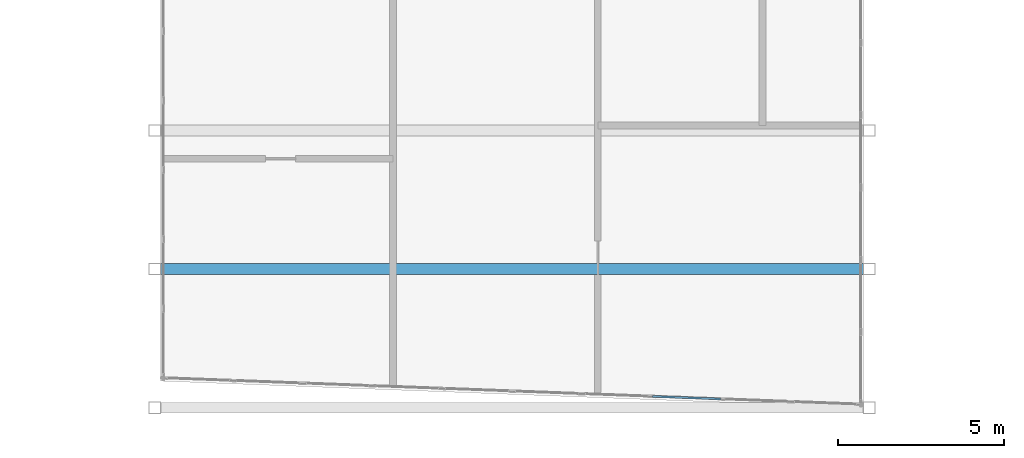
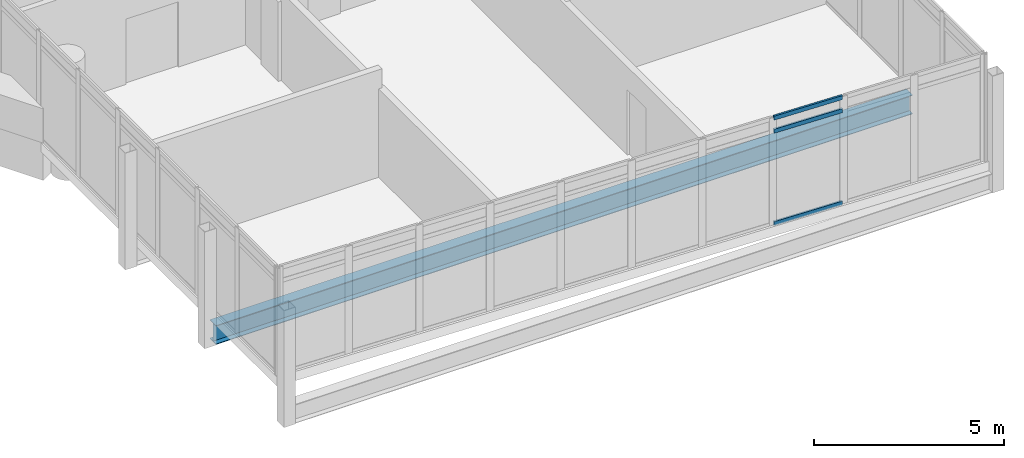
# One storey, part 5 of 25: 3 members, 1 beam, 1 element without a shape of its own.
"""IFC4 building model written with IfcOpenShell, lengths in metres."""

from ifc_helpers import new_model, si_unit, direction, frame, origin, origin_2d, place, context, subcontext, project, spatial, hollow_rectangle, i_section, extrude, material, material_profile, profile_set, type_object, element, aggregate, save


model = new_model("IFC4")

# Units and contexts
model_context = context("Model", 3, precision=1e-05, world=origin(), true_north=direction((0.0, 1.0)))
body_context = subcontext(model_context, "Body", "Model", "MODEL_VIEW")
ifc_project = project(units=[si_unit("LENGTHUNIT", "METRE"), si_unit("AREAUNIT", "SQUARE_METRE"), si_unit("VOLUMEUNIT", "CUBIC_METRE"), si_unit("PLANEANGLEUNIT", "RADIAN"), si_unit("MASSUNIT", "GRAM", prefix="KILO")], contexts=[model_context])

# Site, building, storey
site_placement = place(None, origin())
site = spatial("IfcSite", under=ifc_project, at=site_placement, CompositionType="ELEMENT")
building_placement = place(site_placement, origin())
building = spatial("IfcBuilding", under=site, at=building_placement, Name="Ostrander Bayou Hotel Tower", CompositionType="ELEMENT")
storey_placement = place(building_placement, frame((0.0, 0.0, 229.5)))
storey = spatial("IfcBuildingStorey", under=building, at=storey_placement, Name="L57", CompositionType="ELEMENT", Elevation=229.5)

# Curtain wall, members
ifc_material_1 = material(Name="Aluminium and clear glass", Category="aluminium")
curtain_wall_type = type_object("IfcCurtainWallType", Name="CW-BAR glazed wall", PredefinedType="NOTDEFINED", material=ifc_material_1)
curtain_wall_placement = place(storey_placement, origin())
curtain_wall = element("IfcCurtainWall", 1, at=curtain_wall_placement, inside=storey, type_object=curtain_wall_type, Name="CW-BAR L57:SB5S:T", PredefinedType="NOTDEFINED")
ifc_material_2 = material(Name="Aluminium", Category="aluminium")
ifc_material_profile_1 = material_profile(ifc_material_2, hollow_rectangle(XDim=0.06005859375, YDim=0.1298828125, WallThickness=0.00390625, at=origin_2d()))
ifc_profile_set_1 = profile_set([ifc_material_profile_1], Name="Aluminium")
member_type = type_object("IfcMemberType", Name="CW-BR transom 60 x 130 mm", PredefinedType="USERDEFINED", material=ifc_profile_set_1)
member_1_placement = place(storey_placement, frame((4.23486328125, -29.159912109375, 0.030029296875), z_axis=(0.99928289053, -0.037864293127, 0.0), x_axis=(0.037864293127, 0.99928289053, 0.0)))
member_1 = element("IfcMember", 2, at=member_1_placement, type_object=member_type, Name="CW-BAR transom 8.1", ObjectType="TRANSOM", PredefinedType="USERDEFINED", context=body_context, shape_type="SweptSolid", body=[
    extrude(hollow_rectangle(XDim=0.06005859375, YDim=0.1298828125, WallThickness=0.00390625, at=origin_2d()), origin(), (0.0, 0.0, 1.0), 2.0439453125),
])
member_2_placement = place(storey_placement, frame((4.23486328125, -29.159912109375, 3.0), z_axis=(0.99928289053, -0.037864293127, 0.0), x_axis=(0.037864293127, 0.99928289053, 0.0)))
member_2 = element("IfcMember", 3, at=member_2_placement, type_object=member_type, Name="CW-BAR transom 8.2", ObjectType="TRANSOM", PredefinedType="USERDEFINED", context=body_context, shape_type="SweptSolid", body=[
    extrude(hollow_rectangle(XDim=0.06005859375, YDim=0.1298828125, WallThickness=0.00390625, at=origin_2d()), origin(), (0.0, 0.0, 1.0), 2.0439453125),
])
member_3_placement = place(storey_placement, frame((4.23486328125, -29.159912109375, 3.419921875), z_axis=(0.99928289053, -0.037864293127, 0.0), x_axis=(0.037864293127, 0.99928289053, 0.0)))
member_3 = element("IfcMember", 4, at=member_3_placement, type_object=member_type, Name="CW-BAR transom 8.3", ObjectType="TRANSOM", PredefinedType="USERDEFINED", context=body_context, shape_type="SweptSolid", body=[
    extrude(hollow_rectangle(XDim=0.06005859375, YDim=0.1298828125, WallThickness=0.00390625, at=origin_2d()), origin(), (0.0, 0.0, 1.0), 2.0439453125),
])
aggregate(curtain_wall, [member_1, member_2, member_3])

# Beam
ifc_material_3 = material(Name="Steel ASTM A992", Category="steel")
ifc_material_profile_2 = material_profile(ifc_material_3, i_section(OverallWidth=0.32373046875, OverallDepth=0.611083984375, WebThickness=0.0126953125, FlangeThickness=0.01904296875, at=origin_2d()))
ifc_profile_set_2 = profile_set([ifc_material_profile_2], Name="Steel ASTM A992")
beam_type = type_object("IfcBeamType", Name="TF2 bar floor beam W24x104", PredefinedType="BEAM", material=ifc_profile_set_2)
beam_placement = place(storey_placement, frame((-10.587158203125, -25.32373046875, -0.605712890625), z_axis=(1.0, 0.0, 0.0), x_axis=(0.0, 1.0, 0.0)))
element("IfcBeam", 5, at=beam_placement, inside=storey, type_object=beam_type, Name="TF2 SB5S L3-2", PredefinedType="BEAM", context=body_context, shape_type="SweptSolid", body=[
    extrude(i_section(OverallWidth=0.32373046875, OverallDepth=0.611083984375, WebThickness=0.0126953125, FlangeThickness=0.01904296875, at=origin_2d()), origin(), (0.0, 0.0, 1.0), 21.17431640625),
])

save(model, "model.ifc")
